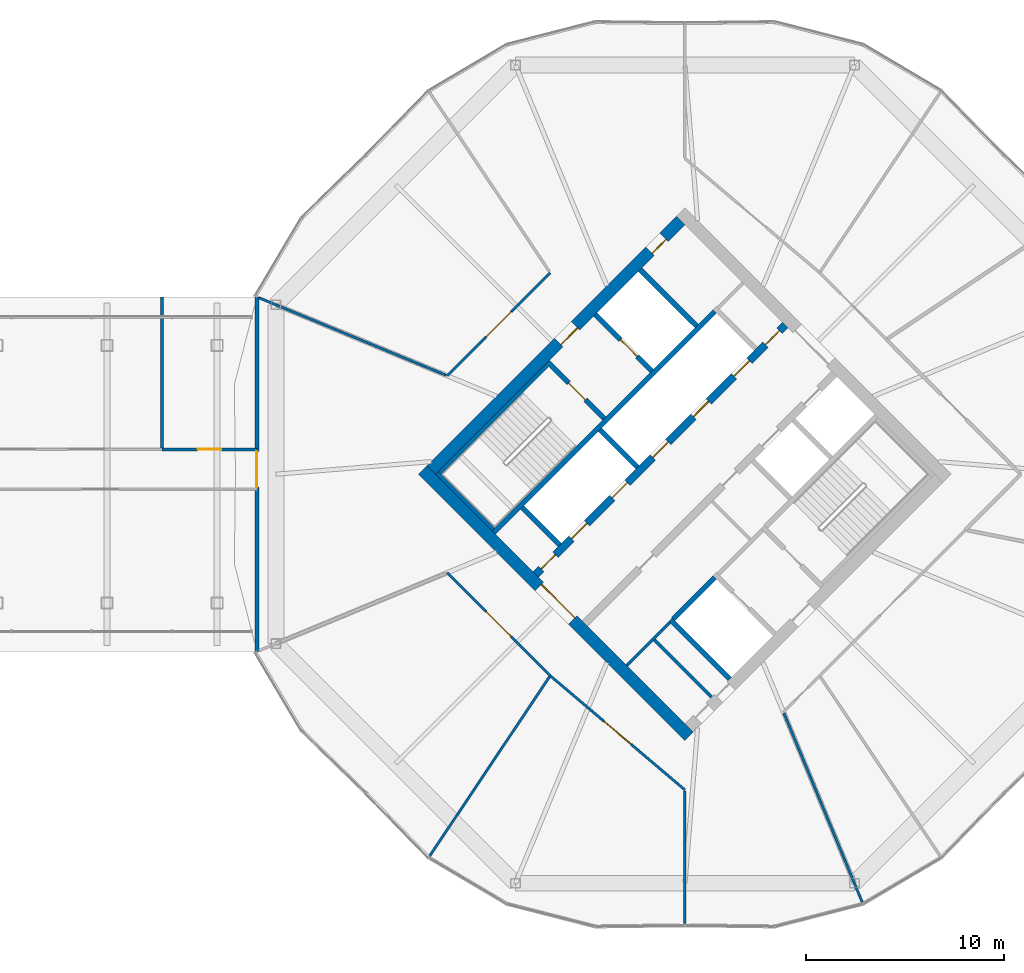
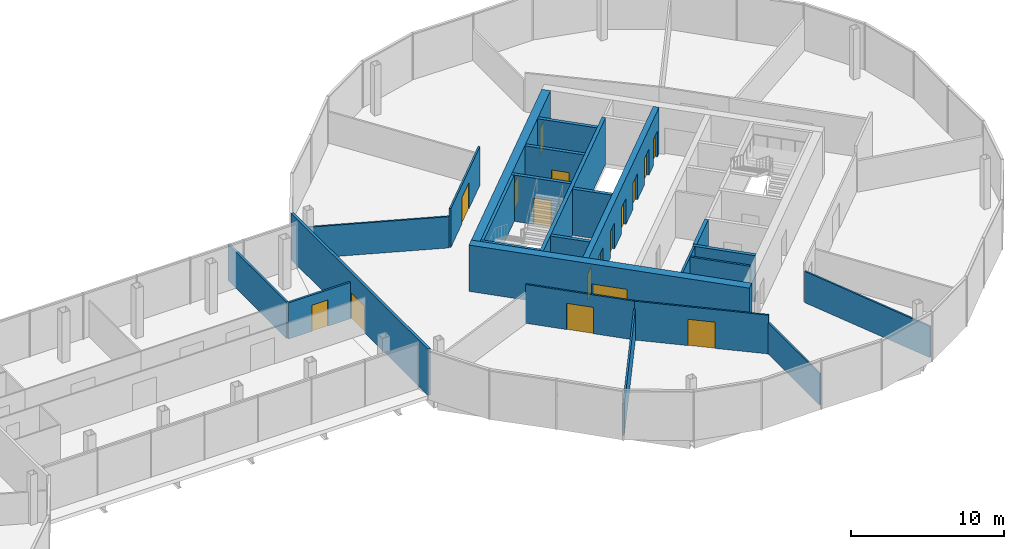
# One storey, part 22 of 25: 25 walls, 17 doors, 17 openings.
"""IFC4 building model written with IfcOpenShell, lengths in metres."""

from ifc_helpers import new_model, si_unit, direction, frame, frame_2d, origin, place, context, subcontext, project, spatial, rectangle, extrude, material, layer, layer_set, type_object, element, fill, save


model = new_model("IFC4")

# Units and contexts
model_context = context("Model", 3, precision=1e-05, world=origin(), true_north=direction((0.0, 1.0)))
body_context = subcontext(model_context, "Body", "Model", "MODEL_VIEW")
ifc_project = project(units=[si_unit("LENGTHUNIT", "METRE"), si_unit("AREAUNIT", "SQUARE_METRE"), si_unit("VOLUMEUNIT", "CUBIC_METRE"), si_unit("PLANEANGLEUNIT", "RADIAN"), si_unit("MASSUNIT", "GRAM", prefix="KILO")], contexts=[model_context])

# Site, building, storey
site_placement = place(None, origin())
site = spatial("IfcSite", under=ifc_project, at=site_placement, CompositionType="ELEMENT")
building_placement = place(site_placement, origin())
building = spatial("IfcBuilding", under=site, at=building_placement, Name="Ogive Gate Towers", CompositionType="ELEMENT")
storey_placement = place(building_placement, frame((0.0, 0.0, 140.800048828125)))
storey = spatial("IfcBuildingStorey", under=building, at=storey_placement, Name="L33", CompositionType="ELEMENT", Elevation=140.800048828125)

# Wall, openings, doors
ifc_material_1 = material(Name="Concrete C60/75", Category="concrete")
ifc_layer_1 = layer(ifc_material_1, 0.60009765625)
ifc_layer_set_1 = layer_set([ifc_layer_1], Name="Core wall 600 mm")
wall_type_1 = type_object("IfcWallType", Name="Core wall 600 mm", PredefinedType="SHEAR", material=ifc_layer_set_1)
wall_1_placement = place(storey_placement, frame((23.201416015625, 0.212158203125, 0.0), z_axis=(0.0, 0.0, 1.0), x_axis=(0.707106781187, 0.707106781187, 0.0)))
wall_1 = element("IfcWall", 1, at=wall_1_placement, inside=storey, type_object=wall_type_1, Name="T2 L33 Core wall 600 mm", PredefinedType="SHEAR", context=body_context, shape_type="SweptSolid", body=[
    extrude(rectangle(XDim=17.7998046875, YDim=0.60009765625, at=frame_2d((8.89990234375, 0.0))), origin(), (0.0, 0.0, 1.0), 3.699951171875),
])
opening_1_placement = place(wall_1_placement, frame((9.10009765625, 0.0, 0.0)))
opening_1 = element("IfcOpeningElement", 2, at=opening_1_placement, cuts=wall_1, Name="Opening KD-T2-L33-18", PredefinedType="OPENING", context=body_context, shape_type="SweptSolid", body=[
    extrude(rectangle(XDim=1.199951171875, YDim=2.10009765625, at=frame_2d((0.60009765625, 1.050048828125))), frame((0.0, 0.31005859375, 0.0), z_axis=(0.0, -1.0, 0.0), x_axis=(1.0, 0.0, 0.0)), (0.0, 0.0, 1.0), 0.6201171875),
])
opening_2_placement = place(wall_1_placement, frame((15.60009765625, 0.0, 0.0)))
opening_2 = element("IfcOpeningElement", 3, at=opening_2_placement, cuts=wall_1, Name="Opening KD-T2-L33-20", PredefinedType="OPENING", context=body_context, shape_type="SweptSolid", body=[
    extrude(rectangle(XDim=1.0, YDim=2.10009765625, at=frame_2d((0.5, 1.050048828125))), frame((0.0, 0.31005859375, 0.0), z_axis=(0.0, -1.0, 0.0), x_axis=(1.0, 0.0, 0.0)), (0.0, 0.0, 1.0), 0.6201171875),
])
ifc_material_2 = material(Name="Timber door", Category="wood")
door_type_1 = type_object("IfcDoorType", Name="Accessible WC door 1000 x 2100", OperationType="NOTDEFINED", PredefinedType="DOOR", material=ifc_material_2)
door_1_placement = place(opening_2_placement, origin())
door_1 = element("IfcDoor", 4, at=door_1_placement, inside=storey, type_object=door_type_1, Name="T2 L33 Core door", OperationType="SINGLE_SWING_LEFT", OverallHeight=2.10009765625, OverallWidth=1.0, PredefinedType="DOOR", context=body_context, shape_type="SweptSolid", body=[
    extrude(rectangle(XDim=1.0, YDim=2.10009765625, at=frame_2d((0.5, 1.050048828125))), frame((0.0, -0.125, 0.0), z_axis=(0.0, -1.0, 0.0), x_axis=(1.0, 0.0, 0.0)), (0.0, 0.0, 1.0), 0.050048828125),
])
fill(opening_2, door_1)
ifc_material_3 = material(Name="Steel fire door", Category="steel")
door_type_2 = type_object("IfcDoorType", Name="Core door FD60S 1200 x 2100", OperationType="NOTDEFINED", PredefinedType="DOOR", material=ifc_material_3)
door_2_placement = place(opening_1_placement, origin())
door_2 = element("IfcDoor", 5, at=door_2_placement, inside=storey, type_object=door_type_2, Name="T2 L33 Fire-fighting lobby door", OperationType="SINGLE_SWING_LEFT", OverallHeight=2.10009765625, OverallWidth=1.199951171875, PredefinedType="DOOR", context=body_context, shape_type="SweptSolid", body=[
    extrude(rectangle(XDim=1.199951171875, YDim=2.10009765625, at=frame_2d((0.60009765625, 1.050048828125))), frame((0.0, -0.125, 0.0), z_axis=(0.0, -1.0, 0.0), x_axis=(1.0, 0.0, 0.0)), (0.0, 0.0, 1.0), 0.050048828125),
])
fill(opening_1, door_2)

# Wall, opening, door
wall_2_placement = place(storey_placement, frame((36.212158203125, -13.222900390625, 0.0), z_axis=(0.0, 0.0, 1.0), x_axis=(-0.707106781187, 0.707106781187, 0.0)))
wall_2 = element("IfcWall", 6, at=wall_2_placement, inside=storey, type_object=wall_type_1, Name="T2 L33 Core wall 600 mm", PredefinedType="SHEAR", context=body_context, shape_type="SweptSolid", body=[
    extrude(rectangle(XDim=19.0, YDim=0.60009765625, at=frame_2d((9.5, 0.0))), origin(), (0.0, 0.0, 1.0), 3.699951171875),
])
opening_3_placement = place(wall_2_placement, frame((8.300048828125, 0.0, 0.0)))
opening_3 = element("IfcOpeningElement", 7, at=opening_3_placement, cuts=wall_2, Name="Opening KD-T2-L33-01", PredefinedType="OPENING", context=body_context, shape_type="SweptSolid", body=[
    extrude(rectangle(XDim=2.39990234375, YDim=2.10009765625, at=frame_2d((1.199951171875, 1.050048828125))), frame((0.0, 0.31005859375, 0.0), z_axis=(0.0, -1.0, 0.0), x_axis=(1.0, 0.0, 0.0)), (0.0, 0.0, 1.0), 0.6201171875),
])
door_type_3 = type_object("IfcDoorType", Name="Core double door FD60S 2400 x 2100", OperationType="DOUBLE_DOOR_SINGLE_SWING", PredefinedType="DOOR", material=ifc_material_3)
door_3_placement = place(opening_3_placement, origin())
door_3 = element("IfcDoor", 8, at=door_3_placement, inside=storey, type_object=door_type_3, Name="T2 L33 Core door double", OperationType="DOUBLE_DOOR_SINGLE_SWING", OverallHeight=2.10009765625, OverallWidth=2.39990234375, PredefinedType="DOOR", context=body_context, shape_type="SweptSolid", body=[
    extrude(rectangle(XDim=2.39990234375, YDim=2.10009765625, at=frame_2d((1.199951171875, 1.050048828125))), frame((0.0, -0.125, 0.0), z_axis=(0.0, -1.0, 0.0), x_axis=(1.0, 0.0, 0.0)), (0.0, 0.0, 1.0), 0.050048828125),
])
fill(opening_3, door_3)

# Walls
ifc_material_4 = material(Name="Gypsum board partition")
ifc_layer_2 = layer(ifc_material_4, 0.125)
ifc_layer_set_2 = layer_set([ifc_layer_2], Name="Partition 125")
wall_type_2 = type_object("IfcWallType", Name="Partition 125", PredefinedType="PARTITIONING", material=ifc_layer_set_2)
wall_3_placement = place(storey_placement, frame((14.499755859375, 8.90576171875, 0.0), z_axis=(0.0, 0.0, 1.0), x_axis=(0.923875736147, -0.382692597469, 0.0)))
element("IfcWall", 9, at=wall_3_placement, inside=storey, type_object=wall_type_2, Name="Partition T2-L33-005", PredefinedType="PARTITIONING", context=body_context, shape_type="SweptSolid", body=[
    extrude(rectangle(XDim=10.228271484375, YDim=0.125, at=frame_2d((5.1142578125, 0.0))), origin(), (0.0, 0.0, 1.0), 2.5),
])
wall_4_placement = place(storey_placement, frame((23.11572265625, -19.268798828125, 0.0), z_axis=(0.0, 0.0, 1.0), x_axis=(0.55584856396, 0.831283570115, 0.0)))
element("IfcWall", 10, at=wall_4_placement, inside=storey, type_object=wall_type_2, Name="Partition T2-L33-007", PredefinedType="PARTITIONING", context=body_context, shape_type="SweptSolid", body=[
    extrude(rectangle(XDim=10.886474609375, YDim=0.125, at=frame_2d((5.443359375, 0.0))), origin(), (0.0, 0.0, 1.0), 2.5),
])
wall_5_placement = place(storey_placement, frame((36.0, -22.678955078125, 0.0), z_axis=(0.0, 0.0, 1.0), x_axis=(0.0, 1.0, 0.0)))
element("IfcWall", 11, at=wall_5_placement, inside=storey, type_object=wall_type_2, Name="Partition T2-L33-008", PredefinedType="PARTITIONING", context=body_context, shape_type="SweptSolid", body=[
    extrude(rectangle(XDim=6.6865234375, YDim=0.125, at=frame_2d((3.34326171875, 0.0))), origin(), (0.0, 0.0, 1.0), 2.5),
])
wall_6_placement = place(storey_placement, frame((44.947021484375, -21.600341796875, 0.0), z_axis=(0.0, 0.0, 1.0), x_axis=(-0.382675817759, 0.923882686548, 0.0)))
element("IfcWall", 12, at=wall_6_placement, inside=storey, type_object=wall_type_2, Name="Partition T2-L33-009", PredefinedType="PARTITIONING", context=body_context, shape_type="SweptSolid", body=[
    extrude(rectangle(XDim=10.336669921875, YDim=0.125, at=frame_2d((5.16845703125, 0.0))), origin(), (0.0, 0.0, 1.0), 2.5),
])

# Wall, opening, door
wall_7_placement = place(storey_placement, frame((24.007080078125, -4.967529296875, 0.0), z_axis=(0.0, 0.0, 1.0), x_axis=(0.706774525447, -0.707438880879, 0.0)))
wall_7 = element("IfcWall", 13, at=wall_7_placement, inside=storey, type_object=wall_type_2, Name="Partition T2-L33-012", PredefinedType="PARTITIONING", context=body_context, shape_type="SweptSolid", body=[
    extrude(rectangle(XDim=7.349609375, YDim=0.125, at=frame_2d((3.6748046875, 0.0))), origin(), (0.0, 0.0, 1.0), 3.099853515625),
])
opening_4_placement = place(wall_7_placement, frame((2.77490234375, 0.0, 0.0)))
opening_4 = element("IfcOpeningElement", 14, at=opening_4_placement, cuts=wall_7, Name="Opening T2-L33-D01", PredefinedType="OPENING", context=body_context, shape_type="SweptSolid", body=[
    extrude(rectangle(XDim=1.800048828125, YDim=2.10009765625, at=frame_2d((0.89990234375, 1.050048828125))), frame((0.0, 0.072509765625, 0.0), z_axis=(0.0, -1.0, 0.0), x_axis=(1.0, 0.0, 0.0)), (0.0, 0.0, 1.0), 0.14501953125),
])
door_type_4 = type_object("IfcDoorType", Name="Door pair 1800", OperationType="NOTDEFINED", PredefinedType="DOOR", material=ifc_material_2)
door_4_placement = place(opening_4_placement, origin())
door_4 = element("IfcDoor", 15, at=door_4_placement, inside=storey, type_object=door_type_4, Name="Door T2-L33-D01", OperationType="DOUBLE_DOOR_DOUBLE_SWING", OverallHeight=2.10009765625, OverallWidth=1.800048828125, PredefinedType="DOOR", context=body_context, shape_type="SweptSolid", body=[
    extrude(rectangle(XDim=1.800048828125, YDim=2.10009765625, at=frame_2d((0.89990234375, 1.050048828125))), frame((0.0, 0.02490234375, 0.0), z_axis=(0.0, -1.0, 0.0), x_axis=(1.0, 0.0, 0.0)), (0.0, 0.0, 1.0), 0.050048828125),
])
fill(opening_4, door_4)

wall_8_placement = place(storey_placement, frame((29.20166015625, -10.1669921875, 0.0), z_axis=(0.0, 0.0, 1.0), x_axis=(0.76280513571, -0.646628428802, 0.0)))
wall_8 = element("IfcWall", 16, at=wall_8_placement, inside=storey, type_object=wall_type_2, Name="Partition T2-L33-013", PredefinedType="PARTITIONING", context=body_context, shape_type="SweptSolid", body=[
    extrude(rectangle(XDim=8.912353515625, YDim=0.125, at=frame_2d((4.4560546875, 0.0))), origin(), (0.0, 0.0, 1.0), 3.099853515625),
])
opening_5_placement = place(wall_8_placement, frame((3.555908203125, 0.0, 0.0)))
opening_5 = element("IfcOpeningElement", 17, at=opening_5_placement, cuts=wall_8, Name="Opening T2-L33-D02", PredefinedType="OPENING", context=body_context, shape_type="SweptSolid", body=[
    extrude(rectangle(XDim=1.800048828125, YDim=2.10009765625, at=frame_2d((0.89990234375, 1.050048828125))), frame((0.0, 0.072509765625, 0.0), z_axis=(0.0, -1.0, 0.0), x_axis=(1.0, 0.0, 0.0)), (0.0, 0.0, 1.0), 0.14501953125),
])
door_5_placement = place(opening_5_placement, origin())
door_5 = element("IfcDoor", 18, at=door_5_placement, inside=storey, type_object=door_type_4, Name="Door T2-L33-D02", OperationType="DOUBLE_DOOR_DOUBLE_SWING", OverallHeight=2.10009765625, OverallWidth=1.800048828125, PredefinedType="DOOR", context=body_context, shape_type="SweptSolid", body=[
    extrude(rectangle(XDim=1.800048828125, YDim=2.10009765625, at=frame_2d((0.89990234375, 1.050048828125))), frame((0.0, 0.02490234375, 0.0), z_axis=(0.0, -1.0, 0.0), x_axis=(1.0, 0.0, 0.0)), (0.0, 0.0, 1.0), 0.050048828125),
])
fill(opening_5, door_5)

wall_9_placement = place(storey_placement, frame((29.20166015625, 10.1669921875, 0.0), z_axis=(0.0, 0.0, 1.0), x_axis=(-0.706774525447, -0.707438880879, 0.0)))
wall_9 = element("IfcWall", 19, at=wall_9_placement, inside=storey, type_object=wall_type_2, Name="Partition T2-L33-020", PredefinedType="PARTITIONING", context=body_context, shape_type="SweptSolid", body=[
    extrude(rectangle(XDim=7.349609375, YDim=0.125, at=frame_2d((3.6748046875, 0.0))), origin(), (0.0, 0.0, 1.0), 3.099853515625),
])
opening_6_placement = place(wall_9_placement, frame((2.77490234375, 0.0, 0.0)))
opening_6 = element("IfcOpeningElement", 20, at=opening_6_placement, cuts=wall_9, Name="Opening T2-L33-D08", PredefinedType="OPENING", context=body_context, shape_type="SweptSolid", body=[
    extrude(rectangle(XDim=1.800048828125, YDim=2.10009765625, at=frame_2d((0.89990234375, 1.050048828125))), frame((0.0, 0.072509765625, 0.0), z_axis=(0.0, -1.0, 0.0), x_axis=(1.0, 0.0, 0.0)), (0.0, 0.0, 1.0), 0.14501953125),
])
door_6_placement = place(opening_6_placement, origin())
door_6 = element("IfcDoor", 21, at=door_6_placement, inside=storey, type_object=door_type_4, Name="Door T2-L33-D08", OperationType="DOUBLE_DOOR_DOUBLE_SWING", OverallHeight=2.10009765625, OverallWidth=1.800048828125, PredefinedType="DOOR", context=body_context, shape_type="SweptSolid", body=[
    extrude(rectangle(XDim=1.800048828125, YDim=2.10009765625, at=frame_2d((0.89990234375, 1.050048828125))), frame((0.0, 0.02490234375, 0.0), z_axis=(0.0, -1.0, 0.0), x_axis=(1.0, 0.0, 0.0)), (0.0, 0.0, 1.0), 0.050048828125),
])
fill(opening_6, door_6)

ifc_material_5 = material(Name="Fire-rated gypsum board partition")
ifc_layer_3 = layer(ifc_material_5, 0.14990234375)
ifc_layer_set_3 = layer_set([ifc_layer_3], Name="Partition wall 150")
wall_type_3 = type_object("IfcWallType", Name="Partition wall 150", PredefinedType="PARTITIONING", material=ifc_layer_set_3)
wall_10_placement = place(storey_placement, frame((9.6171875, 1.25, 0.0), z_axis=(0.0, 0.0, 1.0), x_axis=(1.0, 0.0, 0.0)))
wall_10 = element("IfcWall", 22, at=wall_10_placement, inside=storey, type_object=wall_type_3, Name="L33 partition 005", PredefinedType="PARTITIONING", context=body_context, shape_type="SweptSolid", body=[
    extrude(rectangle(XDim=4.782470703125, YDim=0.14990234375, at=frame_2d((2.39111328125, 0.0))), origin(), (0.0, 0.0, 1.0), 2.89990234375),
])
opening_7_placement = place(wall_10_placement, frame((1.791259765625, 0.0, 0.0)))
opening_7 = element("IfcOpeningElement", 23, at=opening_7_placement, cuts=wall_10, Name="Opening PO235", PredefinedType="OPENING", context=body_context, shape_type="SweptSolid", body=[
    extrude(rectangle(XDim=1.199951171875, YDim=2.10009765625, at=frame_2d((0.60009765625, 1.050048828125))), frame((0.0, 0.0849609375, 0.0), z_axis=(0.0, -1.0, 0.0), x_axis=(1.0, 0.0, 0.0)), (0.0, 0.0, 1.0), 0.169921875),
])
door_type_5 = type_object("IfcDoorType", Name="Interior fire door FD60S 1200 x 2100", OperationType="NOTDEFINED", PredefinedType="DOOR", material=ifc_material_3)
door_7_placement = place(opening_7_placement, origin())
door_7 = element("IfcDoor", 24, at=door_7_placement, inside=storey, type_object=door_type_5, Name="Door PO235", OperationType="SINGLE_SWING_LEFT", OverallHeight=2.10009765625, OverallWidth=1.199951171875, PredefinedType="DOOR", context=body_context, shape_type="SweptSolid", body=[
    extrude(rectangle(XDim=1.199951171875, YDim=2.10009765625, at=frame_2d((0.60009765625, 1.050048828125))), frame((0.0, 0.02490234375, 0.0), z_axis=(0.0, -1.0, 0.0), x_axis=(1.0, 0.0, 0.0)), (0.0, 0.0, 1.0), 0.050048828125),
])
fill(opening_7, door_7)

# Wall
wall_11_placement = place(storey_placement, frame((9.6171875, 1.324951171875, 0.0), z_axis=(0.0, 0.0, 1.0), x_axis=(0.0, 1.0, 0.0)))
element("IfcWall", 25, at=wall_11_placement, inside=storey, type_object=wall_type_3, Name="L33 partition 015", PredefinedType="PARTITIONING", context=body_context, shape_type="SweptSolid", body=[
    extrude(rectangle(XDim=7.6220703125, YDim=0.14990234375, at=frame_2d((3.81103515625, 0.0))), origin(), (0.0, 0.0, 1.0), 2.89990234375),
])

# Wall, opening, door
ifc_material_6 = material(Name="Masonry block wall", Category="masonry")
ifc_layer_4 = layer(ifc_material_6, 0.199951171875)
ifc_layer_set_4 = layer_set([ifc_layer_4], Name="Partition wall 200")
wall_type_4 = type_object("IfcWallType", Name="Partition wall 200", PredefinedType="PARTITIONING", material=ifc_layer_set_4)
wall_12_placement = place(storey_placement, frame((14.399658203125, -8.947021484375, 0.0), z_axis=(0.0, 0.0, 1.0), x_axis=(0.0, 1.0, 0.0)))
wall_12 = element("IfcWall", 26, at=wall_12_placement, inside=storey, type_object=wall_type_4, Name="L33 wall 017", PredefinedType="PARTITIONING", context=body_context, shape_type="SweptSolid", body=[
    extrude(rectangle(XDim=17.89404296875, YDim=0.199951171875, at=frame_2d((8.947021484375, 0.0))), origin(), (0.0, 0.0, 1.0), 3.699951171875),
])
opening_8_placement = place(wall_12_placement, frame((8.297119140625, 0.0, 0.0)))
opening_8 = element("IfcOpeningElement", 27, at=opening_8_placement, cuts=wall_12, Name="Opening PO239", PredefinedType="OPENING", context=body_context, shape_type="SweptSolid", body=[
    extrude(rectangle(XDim=1.800048828125, YDim=2.10009765625, at=frame_2d((0.89990234375, 1.050048828125))), frame((0.0, 0.10986328125, 0.0), z_axis=(0.0, -1.0, 0.0), x_axis=(1.0, 0.0, 0.0)), (0.0, 0.0, 1.0), 0.219970703125),
])
door_type_6 = type_object("IfcDoorType", Name="Interior fire double door FD120S 1800 x 2100", OperationType="NOTDEFINED", PredefinedType="DOOR", material=ifc_material_3)
door_8_placement = place(opening_8_placement, origin())
door_8 = element("IfcDoor", 28, at=door_8_placement, inside=storey, type_object=door_type_6, Name="Door PO239", OperationType="DOUBLE_DOOR_DOUBLE_SWING", OverallHeight=2.10009765625, OverallWidth=1.800048828125, PredefinedType="DOOR", context=body_context, shape_type="SweptSolid", body=[
    extrude(rectangle(XDim=1.800048828125, YDim=2.10009765625, at=frame_2d((0.89990234375, 1.050048828125))), frame((0.0, 0.02490234375, 0.0), z_axis=(0.0, -1.0, 0.0), x_axis=(1.0, 0.0, 0.0)), (0.0, 0.0, 1.0), 0.050048828125),
])
fill(opening_8, door_8)

# Walls
ifc_layer_5 = layer(ifc_material_4, 0.14990234375)
ifc_layer_set_5 = layer_set([ifc_layer_5], Name="Room partition 150 mm")
wall_type_5 = type_object("IfcWallType", Name="Room partition 150 mm", PredefinedType="PARTITIONING", material=ifc_layer_set_5)
wall_13_placement = place(storey_placement, frame((33.0654296875, -9.652099609375, 0.0), z_axis=(0.0, 0.0, 1.0), x_axis=(0.707146476181, 0.707067083964, 0.0)))
element("IfcWall", 29, at=wall_13_placement, inside=storey, type_object=wall_type_5, Name="T2 L33 Room partition 150 mm", PredefinedType="PARTITIONING", context=body_context, shape_type="SweptSolid", body=[
    extrude(rectangle(XDim=3.0751953125, YDim=0.14990234375, at=frame_2d((1.53759765625, 0.0))), origin(), (0.0, 0.0, 1.0), 3.699951171875),
])
wall_14_placement = place(storey_placement, frame((37.343505859375, -11.242919921875, 0.0), z_axis=(0.0, 0.0, 1.0), x_axis=(-0.707136736357, 0.707076824747, 0.0)))
element("IfcWall", 30, at=wall_14_placement, inside=storey, type_object=wall_type_5, Name="T2 L33 Room partition 150 mm", PredefinedType="PARTITIONING", context=body_context, shape_type="SweptSolid", body=[
    extrude(rectangle(XDim=4.074951171875, YDim=0.14990234375, at=frame_2d((2.03759765625, 0.0))), origin(), (0.0, 0.0, 1.0), 3.699951171875),
])
ifc_layer_6 = layer(ifc_material_1, 0.25)
ifc_layer_set_6 = layer_set([ifc_layer_6], Name="Shaft wall 250 mm")
wall_type_6 = type_object("IfcWallType", Name="Shaft wall 250 mm", PredefinedType="SHEAR", material=ifc_layer_set_6)
wall_15_placement = place(storey_placement, frame((35.41650390625, -7.30078125, 0.0), z_axis=(0.0, 0.0, 1.0), x_axis=(0.707148157867, 0.707065402085, 0.0)))
element("IfcWall", 31, at=wall_15_placement, inside=storey, type_object=wall_type_6, Name="T2 L33 Shaft wall 250 mm", PredefinedType="SHEAR", context=body_context, shape_type="SweptSolid", body=[
    extrude(rectangle(XDim=2.9501953125, YDim=0.25, at=frame_2d((1.47509765625, 0.0))), origin(), (0.0, 0.0, 1.0), 3.699951171875),
])
wall_16_placement = place(storey_placement, frame((26.347900390625, -2.9345703125, 0.0), z_axis=(0.0, 0.0, 1.0), x_axis=(0.707106781187, 0.707106781187, 0.0)))
element("IfcWall", 32, at=wall_16_placement, inside=storey, type_object=wall_type_6, Name="T2 L33 Shaft wall 250 mm", PredefinedType="SHEAR", context=body_context, shape_type="SweptSolid", body=[
    extrude(rectangle(XDim=15.775146484375, YDim=0.25, at=frame_2d((7.8876953125, 0.0))), origin(), (0.0, 0.0, 1.0), 3.699951171875),
])
wall_17_placement = place(storey_placement, frame((29.67138671875, -3.57080078125, 0.0), z_axis=(0.0, 0.0, 1.0), x_axis=(-0.707152414227, 0.707061145201, 0.0)))
element("IfcWall", 33, at=wall_17_placement, inside=storey, type_object=wall_type_6, Name="T2 L33 Shaft wall 250 mm", PredefinedType="SHEAR", context=body_context, shape_type="SweptSolid", body=[
    extrude(rectangle(XDim=2.675048828125, YDim=0.25, at=frame_2d((1.33740234375, 0.0))), origin(), (0.0, 0.0, 1.0), 3.699951171875),
])
wall_18_placement = place(storey_placement, frame((38.2626953125, -10.32373046875, 0.0), z_axis=(0.0, 0.0, 1.0), x_axis=(-0.707106781187, 0.707106781187, 0.0)))
element("IfcWall", 34, at=wall_18_placement, inside=storey, type_object=wall_type_6, Name="T2 L33 Shaft wall 250 mm", PredefinedType="SHEAR", context=body_context, shape_type="SweptSolid", body=[
    extrude(rectangle(XDim=4.22509765625, YDim=0.25, at=frame_2d((2.112548828125, 0.0))), origin(), (0.0, 0.0, 1.0), 3.699951171875),
])
wall_19_placement = place(storey_placement, frame((33.595703125, 0.353515625, 0.0), z_axis=(0.0, 0.0, 1.0), x_axis=(-0.707061145201, 0.707152414227, 0.0)))
element("IfcWall", 35, at=wall_19_placement, inside=storey, type_object=wall_type_6, Name="T2 L33 Shaft wall 250 mm", PredefinedType="SHEAR", context=body_context, shape_type="SweptSolid", body=[
    extrude(rectangle(XDim=2.675048828125, YDim=0.25, at=frame_2d((1.33740234375, 0.0))), origin(), (0.0, 0.0, 1.0), 3.699951171875),
])

# Wall, opening, door
wall_20_placement = place(storey_placement, frame((31.91650390625, 2.810791015625, 0.0), z_axis=(0.0, 0.0, 1.0), x_axis=(-0.707106781187, 0.707106781187, 0.0)))
wall_20 = element("IfcWall", 36, at=wall_20_placement, inside=storey, type_object=wall_type_6, Name="T2 L33 Shaft wall 250 mm", PredefinedType="SHEAR", context=body_context, shape_type="SweptSolid", body=[
    extrude(rectangle(XDim=4.025146484375, YDim=0.25, at=frame_2d((2.0126953125, 0.0))), origin(), (0.0, 0.0, 1.0), 3.699951171875),
])
opening_9_placement = place(wall_20_placement, frame((1.324951171875, 0.0, 0.0)))
opening_9 = element("IfcOpeningElement", 37, at=opening_9_placement, cuts=wall_20, Name="Opening KD-T2-L33-16", PredefinedType="OPENING", context=body_context, shape_type="SweptSolid", body=[
    extrude(rectangle(XDim=1.199951171875, YDim=2.10009765625, at=frame_2d((0.60009765625, 1.050048828125))), frame((0.0, 0.135009765625, 0.0), z_axis=(0.0, -1.0, 0.0), x_axis=(1.0, 0.0, 0.0)), (0.0, 0.0, 1.0), 0.27001953125),
])
door_9_placement = place(opening_9_placement, origin())
door_9 = element("IfcDoor", 38, at=door_9_placement, inside=storey, type_object=door_type_2, Name="T2 L33 Stair door", OperationType="SINGLE_SWING_LEFT", OverallHeight=2.10009765625, OverallWidth=1.199951171875, PredefinedType="DOOR", context=body_context, shape_type="SweptSolid", body=[
    extrude(rectangle(XDim=1.199951171875, YDim=2.10009765625, at=frame_2d((0.60009765625, 1.050048828125))), frame((0.0, 0.02490234375, 0.0), z_axis=(0.0, -1.0, 0.0), x_axis=(1.0, 0.0, 0.0)), (0.0, 0.0, 1.0), 0.050048828125),
])
fill(opening_9, door_9)

wall_21_placement = place(storey_placement, frame((34.320556640625, 5.21484375, 0.0), z_axis=(0.0, 0.0, 1.0), x_axis=(-0.70707645213, 0.707137108942, 0.0)))
wall_21 = element("IfcWall", 39, at=wall_21_placement, inside=storey, type_object=wall_type_6, Name="T2 L33 Shaft wall 250 mm", PredefinedType="SHEAR", context=body_context, shape_type="SweptSolid", body=[
    extrude(rectangle(XDim=4.02490234375, YDim=0.25, at=frame_2d((2.012451171875, 0.0))), origin(), (0.0, 0.0, 1.0), 3.699951171875),
])
opening_10_placement = place(wall_21_placement, frame((1.02490234375, 0.0, 0.0)))
opening_10 = element("IfcOpeningElement", 40, at=opening_10_placement, cuts=wall_21, Name="Opening LD-T2-L33-12", PredefinedType="OPENING", context=body_context, shape_type="SweptSolid", body=[
    extrude(rectangle(XDim=1.199951171875, YDim=2.10009765625, at=frame_2d((0.60009765625, 1.050048828125))), frame((0.0, 0.135009765625, 0.0), z_axis=(0.0, -1.0, 0.0), x_axis=(1.0, 0.0, 0.0)), (0.0, 0.0, 1.0), 0.27001953125),
])
ifc_material_7 = material(Name="Stainless steel landing door", Category="steel")
door_type_7 = type_object("IfcDoorType", Name="Landing door 1200 x 2100", OperationType="SLIDING_TO_LEFT", PredefinedType="DOOR", material=ifc_material_7)
door_10_placement = place(opening_10_placement, origin())
door_10 = element("IfcDoor", 41, at=door_10_placement, inside=storey, type_object=door_type_7, Name="T2 L33 Lift landing door FF1", OperationType="SLIDING_TO_LEFT", OverallHeight=2.10009765625, OverallWidth=1.199951171875, PredefinedType="DOOR", context=body_context, shape_type="SweptSolid", body=[
    extrude(rectangle(XDim=1.199951171875, YDim=2.10009765625, at=frame_2d((0.60009765625, 1.050048828125))), frame((0.0, 0.02490234375, 0.0), z_axis=(0.0, -1.0, 0.0), x_axis=(1.0, 0.0, 0.0)), (0.0, 0.0, 1.0), 0.050048828125),
])
fill(opening_10, door_10)

# Wall
wall_22_placement = place(storey_placement, frame((36.58349609375, 7.477783203125, 0.0), z_axis=(0.0, 0.0, 1.0), x_axis=(-0.707137108942, 0.70707645213, 0.0)))
element("IfcWall", 42, at=wall_22_placement, inside=storey, type_object=wall_type_6, Name="T2 L33 Shaft wall 250 mm", PredefinedType="SHEAR", context=body_context, shape_type="SweptSolid", body=[
    extrude(rectangle(XDim=4.02490234375, YDim=0.25, at=frame_2d((2.012451171875, 0.0))), origin(), (0.0, 0.0, 1.0), 3.699951171875),
])

# Wall, openings, doors
ifc_layer_7 = layer(ifc_material_1, 0.39990234375)
ifc_layer_set_7 = layer_set([ifc_layer_7], Name="Spine wall 400 mm")
wall_type_7 = type_object("IfcWallType", Name="Spine wall 400 mm", PredefinedType="SHEAR", material=ifc_layer_set_7)
wall_23_placement = place(storey_placement, frame((28.46923828125, -5.055908203125, 0.0), z_axis=(0.0, 0.0, 1.0), x_axis=(0.707106781187, 0.707106781187, 0.0)))
wall_23 = element("IfcWall", 43, at=wall_23_placement, inside=storey, type_object=wall_type_7, Name="T2 L33 Spine wall 400 mm", PredefinedType="SHEAR", context=body_context, shape_type="SweptSolid", body=[
    extrude(rectangle(XDim=17.80029296875, YDim=0.39990234375, at=frame_2d((8.900146484375, 0.0))), origin(), (0.0, 0.0, 1.0), 3.699951171875),
])
opening_11_placement = place(wall_23_placement, frame((0.39990234375, 0.0, 0.0)))
opening_11 = element("IfcOpeningElement", 44, at=opening_11_placement, cuts=wall_23, Name="Opening KD-T2-L33-03", PredefinedType="OPENING", context=body_context, shape_type="SweptSolid", body=[
    extrude(rectangle(XDim=1.0, YDim=2.10009765625, at=frame_2d((0.5, 1.050048828125))), frame((0.0, 0.2099609375, 0.0), z_axis=(0.0, -1.0, 0.0), x_axis=(1.0, 0.0, 0.0)), (0.0, 0.0, 1.0), 0.419921875),
])
opening_12_placement = place(wall_23_placement, frame((2.550048828125, 0.0, 0.0)))
opening_12 = element("IfcOpeningElement", 45, at=opening_12_placement, cuts=wall_23, Name="Opening LD-T2-L33-04", PredefinedType="OPENING", context=body_context, shape_type="SweptSolid", body=[
    extrude(rectangle(XDim=1.10009765625, YDim=2.10009765625, at=frame_2d((0.550048828125, 1.050048828125))), frame((0.0, 0.2099609375, 0.0), z_axis=(0.0, -1.0, 0.0), x_axis=(1.0, 0.0, 0.0)), (0.0, 0.0, 1.0), 0.419921875),
])
opening_13_placement = place(wall_23_placement, frame((5.449951171875, 0.0, 0.0)))
opening_13 = element("IfcOpeningElement", 46, at=opening_13_placement, cuts=wall_23, Name="Opening LD-T2-L33-05", PredefinedType="OPENING", context=body_context, shape_type="SweptSolid", body=[
    extrude(rectangle(XDim=1.10009765625, YDim=2.10009765625, at=frame_2d((0.550048828125, 1.050048828125))), frame((0.0, 0.2099609375, 0.0), z_axis=(0.0, -1.0, 0.0), x_axis=(1.0, 0.0, 0.0)), (0.0, 0.0, 1.0), 0.419921875),
])
opening_14_placement = place(wall_23_placement, frame((8.35009765625, 0.0, 0.0)))
opening_14 = element("IfcOpeningElement", 47, at=opening_14_placement, cuts=wall_23, Name="Opening LD-T2-L33-06", PredefinedType="OPENING", context=body_context, shape_type="SweptSolid", body=[
    extrude(rectangle(XDim=1.10009765625, YDim=2.10009765625, at=frame_2d((0.550048828125, 1.050048828125))), frame((0.0, 0.2099609375, 0.0), z_axis=(0.0, -1.0, 0.0), x_axis=(1.0, 0.0, 0.0)), (0.0, 0.0, 1.0), 0.419921875),
])
opening_15_placement = place(wall_23_placement, frame((11.25, 0.0, 0.0)))
opening_15 = element("IfcOpeningElement", 48, at=opening_15_placement, cuts=wall_23, Name="Opening LD-T2-L33-07", PredefinedType="OPENING", context=body_context, shape_type="SweptSolid", body=[
    extrude(rectangle(XDim=1.10009765625, YDim=2.10009765625, at=frame_2d((0.550048828125, 1.050048828125))), frame((0.0, 0.2099609375, 0.0), z_axis=(0.0, -1.0, 0.0), x_axis=(1.0, 0.0, 0.0)), (0.0, 0.0, 1.0), 0.419921875),
])
opening_16_placement = place(wall_23_placement, frame((14.14990234375, 0.0, 0.0)))
opening_16 = element("IfcOpeningElement", 49, at=opening_16_placement, cuts=wall_23, Name="Opening LD-T2-L33-08", PredefinedType="OPENING", context=body_context, shape_type="SweptSolid", body=[
    extrude(rectangle(XDim=1.10009765625, YDim=2.10009765625, at=frame_2d((0.550048828125, 1.050048828125))), frame((0.0, 0.2099609375, 0.0), z_axis=(0.0, -1.0, 0.0), x_axis=(1.0, 0.0, 0.0)), (0.0, 0.0, 1.0), 0.419921875),
])
opening_17_placement = place(wall_23_placement, frame((16.39990234375, 0.0, 0.0)))
opening_17 = element("IfcOpeningElement", 50, at=opening_17_placement, cuts=wall_23, Name="Opening KD-T2-L33-09", PredefinedType="OPENING", context=body_context, shape_type="SweptSolid", body=[
    extrude(rectangle(XDim=1.0, YDim=2.10009765625, at=frame_2d((0.5, 1.050048828125))), frame((0.0, 0.2099609375, 0.0), z_axis=(0.0, -1.0, 0.0), x_axis=(1.0, 0.0, 0.0)), (0.0, 0.0, 1.0), 0.419921875),
])
door_type_8 = type_object("IfcDoorType", Name="Core door FD60S 1000 x 2100", OperationType="NOTDEFINED", PredefinedType="DOOR", material=ifc_material_3)
door_11_placement = place(opening_11_placement, origin())
door_11 = element("IfcDoor", 51, at=door_11_placement, inside=storey, type_object=door_type_8, Name="T2 L33 Core door", OperationType="SINGLE_SWING_RIGHT", OverallHeight=2.10009765625, OverallWidth=1.0, PredefinedType="DOOR", context=body_context, shape_type="SweptSolid", body=[
    extrude(rectangle(XDim=1.0, YDim=2.10009765625, at=frame_2d((0.5, 1.050048828125))), frame((0.0, 0.02490234375, 0.0), z_axis=(0.0, -1.0, 0.0), x_axis=(1.0, 0.0, 0.0)), (0.0, 0.0, 1.0), 0.050048828125),
])
fill(opening_11, door_11)
door_12_placement = place(opening_17_placement, origin())
door_12 = element("IfcDoor", 52, at=door_12_placement, inside=storey, type_object=door_type_8, Name="T2 L33 Core door", OperationType="SINGLE_SWING_RIGHT", OverallHeight=2.10009765625, OverallWidth=1.0, PredefinedType="DOOR", context=body_context, shape_type="SweptSolid", body=[
    extrude(rectangle(XDim=1.0, YDim=2.10009765625, at=frame_2d((0.5, 1.050048828125))), frame((0.0, 0.02490234375, 0.0), z_axis=(0.0, -1.0, 0.0), x_axis=(1.0, 0.0, 0.0)), (0.0, 0.0, 1.0), 0.050048828125),
])
fill(opening_17, door_12)
door_type_9 = type_object("IfcDoorType", Name="Landing door 1100 x 2100", OperationType="SLIDING_TO_LEFT", PredefinedType="DOOR", material=ifc_material_7)
door_13_placement = place(opening_12_placement, origin())
door_13 = element("IfcDoor", 53, at=door_13_placement, inside=storey, type_object=door_type_9, Name="T2 L33 Lift landing door B1", OperationType="SLIDING_TO_LEFT", OverallHeight=2.10009765625, OverallWidth=1.10009765625, PredefinedType="DOOR", context=body_context, shape_type="SweptSolid", body=[
    extrude(rectangle(XDim=1.10009765625, YDim=2.10009765625, at=frame_2d((0.550048828125, 1.050048828125))), frame((0.0, 0.02490234375, 0.0), z_axis=(0.0, -1.0, 0.0), x_axis=(1.0, 0.0, 0.0)), (0.0, 0.0, 1.0), 0.050048828125),
])
fill(opening_12, door_13)
door_14_placement = place(opening_13_placement, origin())
door_14 = element("IfcDoor", 54, at=door_14_placement, inside=storey, type_object=door_type_9, Name="T2 L33 Lift landing door B2", OperationType="SLIDING_TO_LEFT", OverallHeight=2.10009765625, OverallWidth=1.10009765625, PredefinedType="DOOR", context=body_context, shape_type="SweptSolid", body=[
    extrude(rectangle(XDim=1.10009765625, YDim=2.10009765625, at=frame_2d((0.550048828125, 1.050048828125))), frame((0.0, 0.02490234375, 0.0), z_axis=(0.0, -1.0, 0.0), x_axis=(1.0, 0.0, 0.0)), (0.0, 0.0, 1.0), 0.050048828125),
])
fill(opening_13, door_14)
door_15_placement = place(opening_14_placement, origin())
door_15 = element("IfcDoor", 55, at=door_15_placement, inside=storey, type_object=door_type_9, Name="T2 L33 Lift landing door B3", OperationType="SLIDING_TO_LEFT", OverallHeight=2.10009765625, OverallWidth=1.10009765625, PredefinedType="DOOR", context=body_context, shape_type="SweptSolid", body=[
    extrude(rectangle(XDim=1.10009765625, YDim=2.10009765625, at=frame_2d((0.550048828125, 1.050048828125))), frame((0.0, 0.02490234375, 0.0), z_axis=(0.0, -1.0, 0.0), x_axis=(1.0, 0.0, 0.0)), (0.0, 0.0, 1.0), 0.050048828125),
])
fill(opening_14, door_15)
door_16_placement = place(opening_15_placement, origin())
door_16 = element("IfcDoor", 56, at=door_16_placement, inside=storey, type_object=door_type_9, Name="T2 L33 Lift landing door B4", OperationType="SLIDING_TO_LEFT", OverallHeight=2.10009765625, OverallWidth=1.10009765625, PredefinedType="DOOR", context=body_context, shape_type="SweptSolid", body=[
    extrude(rectangle(XDim=1.10009765625, YDim=2.10009765625, at=frame_2d((0.550048828125, 1.050048828125))), frame((0.0, 0.02490234375, 0.0), z_axis=(0.0, -1.0, 0.0), x_axis=(1.0, 0.0, 0.0)), (0.0, 0.0, 1.0), 0.050048828125),
])
fill(opening_15, door_16)
door_17_placement = place(opening_16_placement, origin())
door_17 = element("IfcDoor", 57, at=door_17_placement, inside=storey, type_object=door_type_9, Name="T2 L33 Lift landing door B5", OperationType="SLIDING_TO_LEFT", OverallHeight=2.10009765625, OverallWidth=1.10009765625, PredefinedType="DOOR", context=body_context, shape_type="SweptSolid", body=[
    extrude(rectangle(XDim=1.10009765625, YDim=2.10009765625, at=frame_2d((0.550048828125, 1.050048828125))), frame((0.0, 0.02490234375, 0.0), z_axis=(0.0, -1.0, 0.0), x_axis=(1.0, 0.0, 0.0)), (0.0, 0.0, 1.0), 0.050048828125),
])
fill(opening_16, door_17)

# Walls
ifc_layer_8 = layer(ifc_material_1, 0.199951171875)
ifc_layer_set_8 = layer_set([ifc_layer_8], Name="Stair wall 200 mm")
wall_type_8 = type_object("IfcWallType", Name="Stair wall 200 mm", PredefinedType="SHEAR", material=ifc_layer_set_8)
wall_24_placement = place(storey_placement, frame((23.62548828125, 0.07080078125, 0.0), z_axis=(0.0, 0.0, 1.0), x_axis=(0.707122685701, 0.707090876314, 0.0)))
element("IfcWall", 58, at=wall_24_placement, inside=storey, type_object=wall_type_8, Name="T2 L33 Stair wall 200 mm", PredefinedType="SHEAR", context=body_context, shape_type="SweptSolid", body=[
    extrude(rectangle(XDim=7.675048828125, YDim=0.199951171875, at=frame_2d((3.83740234375, 0.0))), origin(), (0.0, 0.0, 1.0), 3.699951171875),
])
wall_25_placement = place(storey_placement, frame((26.330322265625, -2.775390625, 0.0), z_axis=(0.0, 0.0, 1.0), x_axis=(-0.707106781187, 0.707106781187, 0.0)))
element("IfcWall", 59, at=wall_25_placement, inside=storey, type_object=wall_type_8, Name="T2 L33 Stair wall 200 mm", PredefinedType="SHEAR", context=body_context, shape_type="SweptSolid", body=[
    extrude(rectangle(XDim=4.025146484375, YDim=0.199951171875, at=frame_2d((2.0126953125, 0.0))), origin(), (0.0, 0.0, 1.0), 3.699951171875),
])

save(model, "model.ifc")
